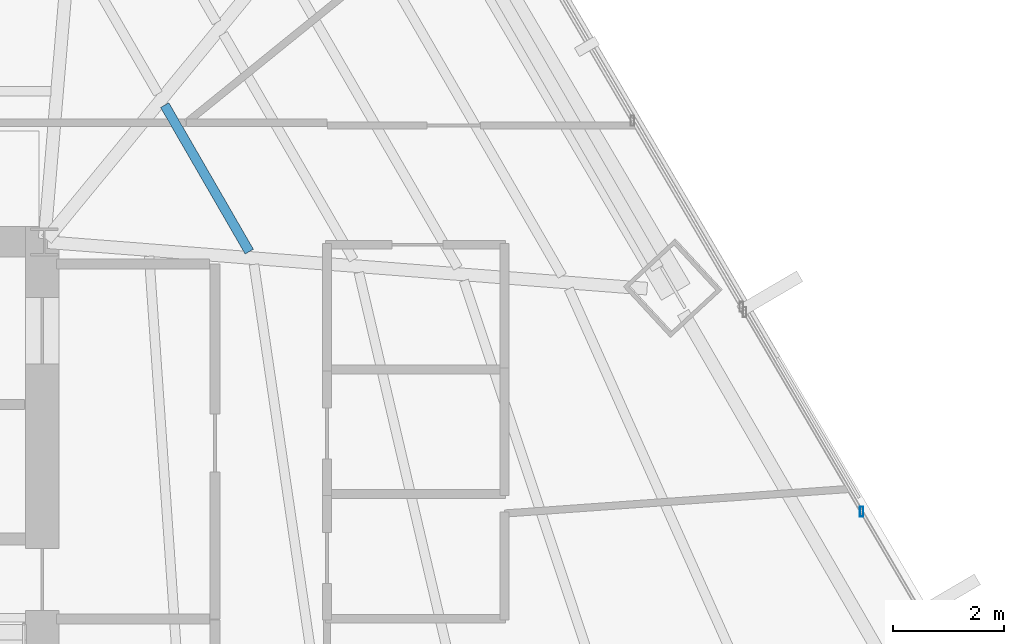
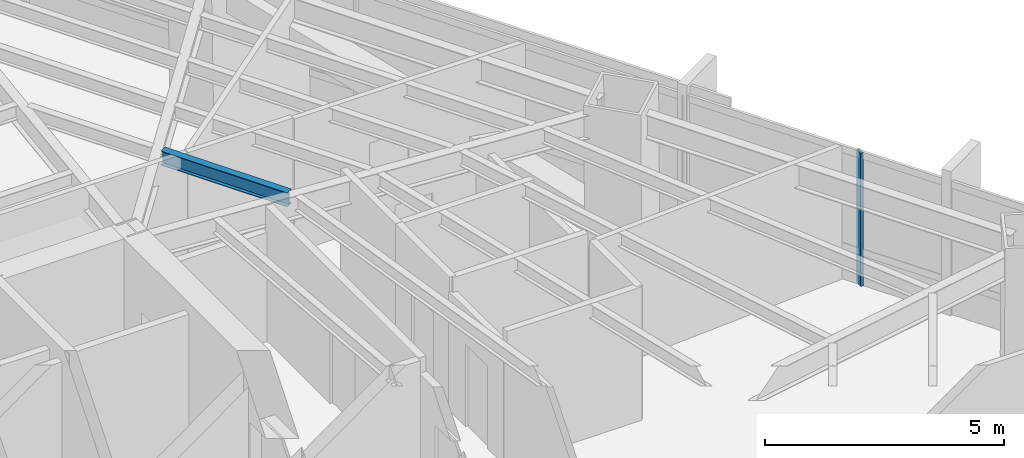
# One storey, part 18 of 33: 1 beam, 1 member, 1 element without a shape of its own.
"""IFC4 building model written with IfcOpenShell, lengths in metres."""

from ifc_helpers import new_model, si_unit, direction, frame, origin, origin_2d, place, context, subcontext, project, spatial, hollow_rectangle, i_section, extrude, source, transform, mapped, material, material_profile, profile_set, type_object, type_shapes, element, aggregate, save


model = new_model("IFC4")

# Units and contexts
model_context = context("Model", 3, precision=1e-05, world=origin(), true_north=direction((0.0, 1.0)))
body_context = subcontext(model_context, "Body", "Model", "MODEL_VIEW")
ifc_project = project(units=[si_unit("LENGTHUNIT", "METRE"), si_unit("AREAUNIT", "SQUARE_METRE"), si_unit("VOLUMEUNIT", "CUBIC_METRE"), si_unit("PLANEANGLEUNIT", "RADIAN"), si_unit("MASSUNIT", "GRAM", prefix="KILO")], contexts=[model_context])

# Site, building, storey
site_placement = place(None, origin())
site = spatial("IfcSite", under=ifc_project, at=site_placement, CompositionType="ELEMENT")
building_placement = place(site_placement, origin())
building = spatial("IfcBuilding", under=site, at=building_placement, Name="Caelisora Broadcast Tower", CompositionType="ELEMENT")
storey_placement = place(building_placement, frame((0.0, 0.0, 42.199951171875)))
storey = spatial("IfcBuildingStorey", under=building, at=storey_placement, Name="L10", CompositionType="ELEMENT", Elevation=42.199951171875)

# Beam
ifc_material_1 = material(Name="Steel Grade 350 (AS/NZS 3679.1)", Category="steel")
ifc_material_profile_1 = material_profile(ifc_material_1, i_section(OverallWidth=0.172119140625, OverallDepth=0.358642578125, WebThickness=0.008056640625, FlangeThickness=0.012939453125, at=origin_2d()), Name="Steel Grade 350 (AS/NZS 3679.1)")
ifc_profile_set_1 = profile_set([ifc_material_profile_1], Name="Steel Grade 350 (AS/NZS 3679.1)")
beam_type = type_object("IfcBeamType", Name="SB02", PredefinedType="JOIST", material=ifc_profile_set_1)
shared_shape_1 = source(origin(), body_context, "Body", "SweptSolid", [
    extrude(i_section(OverallWidth=0.172119140625, OverallDepth=0.358642578125, WebThickness=0.008056640625, FlangeThickness=0.012939453125, at=origin_2d()), origin(), (0.0, 0.0, 1.0), 3.05224609375),
])
type_shapes(beam_type, [shared_shape_1])
beam_placement = place(storey_placement, frame((49.197265625, 29.8251953125, 3.220703125), z_axis=(-0.500061704731, 0.865989775611, 0.0), x_axis=(-0.865989775611, -0.500061704731, 0.0)))
element("IfcBeam", 1, at=beam_placement, inside=storey, type_object=beam_type, Name="L10 beam SB02", PredefinedType="JOIST", context=body_context, shape_type="MappedRepresentation", body=[
    mapped(shared_shape_1, transform((0.0, 0.0, 0.0), scale=1.0)),
])

# Curtain wall, member
ifc_material_2 = material(Name="Unitised Aluminium and Low-E Glass Curtain Wall", Category="glass")
curtain_wall_type = type_object("IfcCurtainWallType", Name="CW-Z1", PredefinedType="NOTDEFINED", material=ifc_material_2)
curtain_wall_placement = place(storey_placement, origin())
curtain_wall = element("IfcCurtainWall", 2, at=curtain_wall_placement, inside=storey, type_object=curtain_wall_type, Name="L10 curtain wall CW-Z1", PredefinedType="NOTDEFINED")
ifc_material_3 = material(Name="Aluminium 6063-T6 Anodised Terracotta Bronze", Category="aluminium")
ifc_material_profile_2 = material_profile(ifc_material_3, hollow_rectangle(XDim=0.06494140625, YDim=0.179931640625, WallThickness=0.00341796875, at=origin_2d()), Name="Aluminium 6063-T6 Anodised Terracotta Bronze")
ifc_profile_set_2 = profile_set([ifc_material_profile_2], Name="Aluminium 6063-T6 Anodised Terracotta Bronze")
member_type = type_object("IfcMemberType", Name="CWM-02", PredefinedType="MULLION", material=ifc_profile_set_2)
shared_shape_2 = source(origin(), body_context, "Body", "SweptSolid", [
    extrude(hollow_rectangle(XDim=0.06494140625, YDim=0.179931640625, WallThickness=0.00341796875, at=origin_2d()), origin(), (0.0, 0.0, 1.0), 3.400146484375),
])
type_shapes(member_type, [shared_shape_2])
member_placement = place(storey_placement, frame((60.24658203125, 25.133056640625, 0.0), z_axis=(0.0, 0.0, 1.0), x_axis=(1.0, 0.0, 0.0)))
member = element("IfcMember", 3, at=member_placement, type_object=member_type, Name="L10-CW-B03 mullion #1", PredefinedType="MULLION", context=body_context, shape_type="MappedRepresentation", body=[
    mapped(shared_shape_2, transform((0.0, 0.0, 0.0), scale=1.0)),
])
aggregate(curtain_wall, [member])

save(model, "model.ifc")
